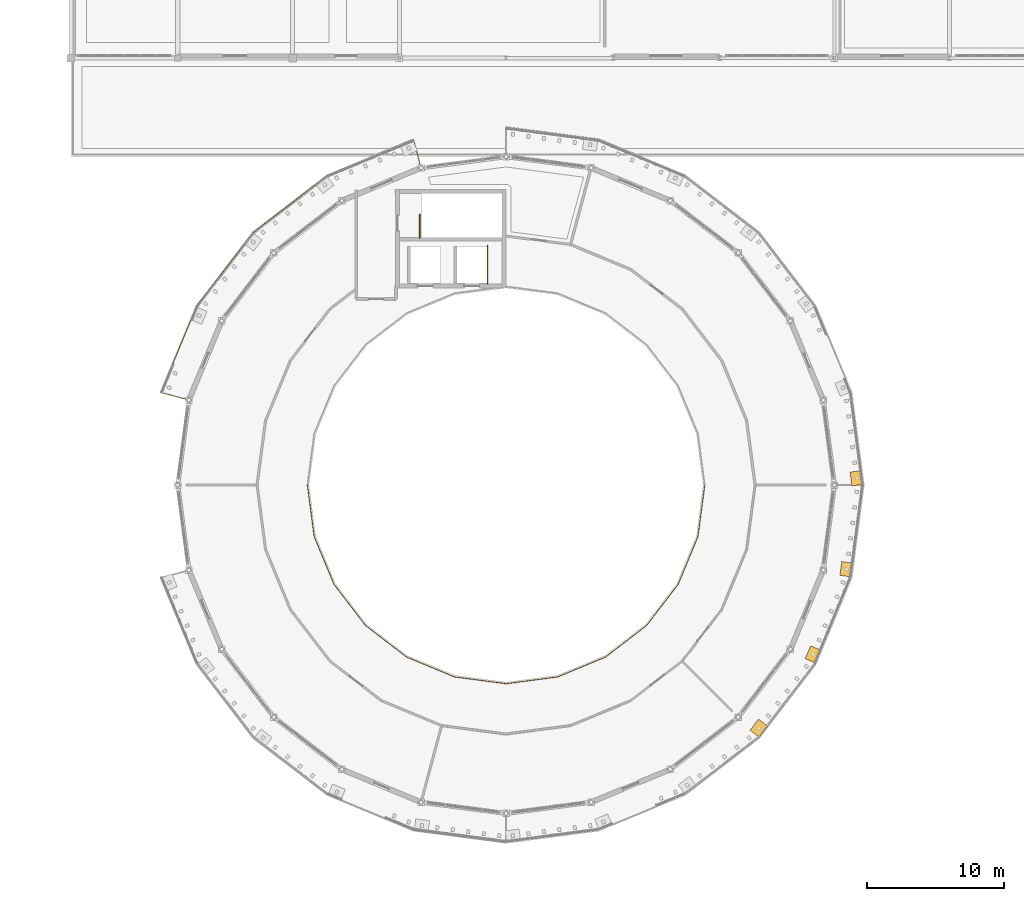
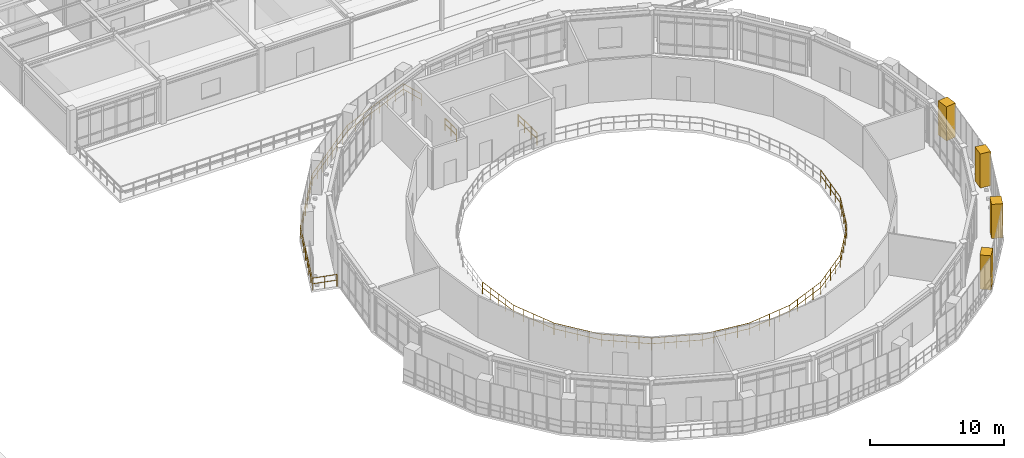
# One storey, part 53 of 58: 4 railings, 4 shading devices.
"""IFC4 building model written with IfcOpenShell, lengths in metres."""

from ifc_helpers import new_model, si_unit, derived_unit, direction, frame, origin, origin_2d, place, context, subcontext, project, spatial, rectangle, circle, extrude, material, type_object, element, save


model = new_model("IFC4")

# Units and contexts
model_context = context("Model", 3, precision=1e-05, world=origin(), true_north=direction((0.0, 1.0)))
body_context = subcontext(model_context, "Body", "Model", "MODEL_VIEW")
ifc_project = project(units=[si_unit("LENGTHUNIT", "METRE"), si_unit("AREAUNIT", "SQUARE_METRE"), si_unit("VOLUMEUNIT", "CUBIC_METRE"), si_unit("PLANEANGLEUNIT", "RADIAN"), si_unit("MASSUNIT", "GRAM", prefix="KILO"), derived_unit("THERMALTRANSMITTANCEUNIT", [(si_unit("POWERUNIT", "WATT"), 1), (si_unit("AREAUNIT", "SQUARE_METRE"), -1), (si_unit("THERMODYNAMICTEMPERATUREUNIT", "KELVIN"), -1)])], contexts=[model_context])

# Site, building, storey
site_placement = place(None, origin())
site = spatial("IfcSite", under=ifc_project, at=site_placement, CompositionType="ELEMENT")
building_placement = place(site_placement, origin())
building = spatial("IfcBuilding", under=site, at=building_placement, Name="Yasenodar Specialist Clinic", CompositionType="ELEMENT")
storey_placement = place(building_placement, frame((0.0, 0.0, 17.25)))
storey = spatial("IfcBuildingStorey", under=building, at=storey_placement, Name="L04", CompositionType="ELEMENT", Elevation=17.25)

# Railings
ifc_material_1 = material(Name="Bronze Anodized Aluminium and Larch Balustrade", Category="aluminium")
railing_type_1 = type_object("IfcRailingType", Name="RL-BAL-1120", PredefinedType="BALUSTRADE", material=ifc_material_1)
railing_1_placement = place(storey_placement, frame((74.7314453125, 82.194580078125, 0.0)))
element("IfcRailing", 1, at=railing_1_placement, inside=storey, type_object=railing_type_1, Name="L04 Drum V1 Balcony Balustrade 2", PredefinedType="BALUSTRADE", context=body_context, shape_type="SweptSolid", body=[
    extrude(circle(Radius=0.02392578125, at=origin_2d()), frame((0.0, 0.0, 1.09619140625), z_axis=(-0.258885930111, 0.965907902023, 0.0), x_axis=(-0.965907902023, -0.258885930111, 0.0)), (0.0, 0.0, 1.0), 1.900146484375),
    extrude(circle(Radius=0.02392578125, at=origin_2d()), frame((0.0, 0.0, 0.58251953125), z_axis=(-0.258885930111, 0.965907902023, 0.0), x_axis=(-0.965907902023, -0.258885930111, 0.0)), (0.0, 0.0, 1.0), 1.900146484375),
    extrude(circle(Radius=0.02392578125, at=origin_2d()), frame((-0.491943359375, 1.83544921875, 1.09619140625), z_axis=(-0.923878931839, -0.382684882513, 0.0), x_axis=(0.382684882513, -0.923878931839, 0.0)), (0.0, 0.0, 1.0), 6.818603515625),
    extrude(circle(Radius=0.02392578125, at=origin_2d()), frame((-0.491943359375, 1.83544921875, 0.58251953125), z_axis=(-0.923878931839, -0.382684882513, 0.0), x_axis=(0.382684882513, -0.923878931839, 0.0)), (0.0, 0.0, 1.0), 6.818603515625),
    extrude(circle(Radius=0.02392578125, at=origin_2d()), frame((-6.79150390625, -0.77392578125, 1.09619140625), z_axis=(-0.793330238247, -0.608791534996, 0.0), x_axis=(0.608791534996, -0.793330238247, 0.0)), (0.0, 0.0, 1.0), 6.818603515625),
    extrude(circle(Radius=0.02392578125, at=origin_2d()), frame((-6.79150390625, -0.77392578125, 0.58251953125), z_axis=(-0.793330238247, -0.608791534996, 0.0), x_axis=(0.608791534996, -0.793330238247, 0.0)), (0.0, 0.0, 1.0), 6.818603515625),
    extrude(circle(Radius=0.02392578125, at=origin_2d()), frame((-12.200927734375, -4.925048828125, 1.09619140625), z_axis=(-0.608791534996, -0.793330238247, 0.0), x_axis=(0.793330238247, -0.608791534996, 0.0)), (0.0, 0.0, 1.0), 6.818603515625),
    extrude(circle(Radius=0.02392578125, at=origin_2d()), frame((-12.200927734375, -4.925048828125, 0.58251953125), z_axis=(-0.608791534996, -0.793330238247, 0.0), x_axis=(0.793330238247, -0.608791534996, 0.0)), (0.0, 0.0, 1.0), 6.818603515625),
    extrude(circle(Radius=0.02392578125, at=origin_2d()), frame((-16.35205078125, -10.33447265625, 1.09619140625), z_axis=(-0.382672223843, -0.923884175154, 0.0), x_axis=(0.923884175154, -0.382672223843, 0.0)), (0.0, 0.0, 1.0), 6.81884765625),
    extrude(circle(Radius=0.02392578125, at=origin_2d()), frame((-16.35205078125, -10.33447265625, 0.58251953125), z_axis=(-0.382672223843, -0.923884175154, 0.0), x_axis=(0.923884175154, -0.382672223843, 0.0)), (0.0, 0.0, 1.0), 6.81884765625),
    extrude(circle(Radius=0.02392578125, at=origin_2d()), frame((-18.96142578125, -16.63427734375, 1.09619140625), z_axis=(0.96593141835, -0.258798174346, 0.0), x_axis=(0.258798174346, 0.96593141835, 0.0)), (0.0, 0.0, 1.0), 1.89990234375),
    extrude(circle(Radius=0.02392578125, at=origin_2d()), frame((-18.96142578125, -16.63427734375, 0.58251953125), z_axis=(0.96593141835, -0.258798174346, 0.0), x_axis=(0.258798174346, 0.96593141835, 0.0)), (0.0, 0.0, 1.0), 1.89990234375),
    extrude(circle(Radius=0.02099609375, at=origin_2d()), origin(), (0.0, 0.0, 1.0), 1.072021484375),
    extrude(circle(Radius=0.02099609375, at=origin_2d()), frame((-0.24609375, 0.917724609375, 0.0)), (0.0, 0.0, 1.0), 1.072021484375),
    extrude(circle(Radius=0.02099609375, at=origin_2d()), frame((-0.491943359375, 1.83544921875, 0.0)), (0.0, 0.0, 1.0), 1.072021484375),
    extrude(circle(Radius=0.02099609375, at=origin_2d()), frame((-1.391845703125, 1.462646484375, 0.0)), (0.0, 0.0, 1.0), 1.072021484375),
    extrude(circle(Radius=0.02099609375, at=origin_2d()), frame((-2.291748046875, 1.08984375, 0.0)), (0.0, 0.0, 1.0), 1.072021484375),
    extrude(circle(Radius=0.02099609375, at=origin_2d()), frame((-3.191650390625, 0.717041015625, 0.0)), (0.0, 0.0, 1.0), 1.072021484375),
    extrude(circle(Radius=0.02099609375, at=origin_2d()), frame((-4.091796875, 0.344482421875, 0.0)), (0.0, 0.0, 1.0), 1.072021484375),
    extrude(circle(Radius=0.02099609375, at=origin_2d()), frame((-4.99169921875, -0.0283203125, 0.0)), (0.0, 0.0, 1.0), 1.072021484375),
    extrude(circle(Radius=0.02099609375, at=origin_2d()), frame((-5.8916015625, -0.401123046875, 0.0)), (0.0, 0.0, 1.0), 1.072021484375),
    extrude(circle(Radius=0.02099609375, at=origin_2d()), frame((-6.79150390625, -0.77392578125, 0.0)), (0.0, 0.0, 1.0), 1.072021484375),
    extrude(circle(Radius=0.02099609375, at=origin_2d()), frame((-7.564208984375, -1.366943359375, 0.0)), (0.0, 0.0, 1.0), 1.072021484375),
    extrude(circle(Radius=0.02099609375, at=origin_2d()), frame((-8.337158203125, -1.9599609375, 0.0)), (0.0, 0.0, 1.0), 1.072021484375),
    extrude(circle(Radius=0.02099609375, at=origin_2d()), frame((-9.10986328125, -2.552978515625, 0.0)), (0.0, 0.0, 1.0), 1.072021484375),
    extrude(circle(Radius=0.02099609375, at=origin_2d()), frame((-9.882568359375, -3.14599609375, 0.0)), (0.0, 0.0, 1.0), 1.072021484375),
    extrude(circle(Radius=0.02099609375, at=origin_2d()), frame((-10.6552734375, -3.739013671875, 0.0)), (0.0, 0.0, 1.0), 1.072021484375),
    extrude(circle(Radius=0.02099609375, at=origin_2d()), frame((-11.42822265625, -4.33203125, 0.0)), (0.0, 0.0, 1.0), 1.072021484375),
    extrude(circle(Radius=0.02099609375, at=origin_2d()), frame((-12.200927734375, -4.925048828125, 0.0)), (0.0, 0.0, 1.0), 1.072021484375),
    extrude(circle(Radius=0.02099609375, at=origin_2d()), frame((-12.7939453125, -5.69775390625, 0.0)), (0.0, 0.0, 1.0), 1.072021484375),
    extrude(circle(Radius=0.02099609375, at=origin_2d()), frame((-13.386962890625, -6.470703125, 0.0)), (0.0, 0.0, 1.0), 1.072021484375),
    extrude(circle(Radius=0.02099609375, at=origin_2d()), frame((-13.97998046875, -7.243408203125, 0.0)), (0.0, 0.0, 1.0), 1.072021484375),
    extrude(circle(Radius=0.02099609375, at=origin_2d()), frame((-14.572998046875, -8.01611328125, 0.0)), (0.0, 0.0, 1.0), 1.072021484375),
    extrude(circle(Radius=0.02099609375, at=origin_2d()), frame((-15.166015625, -8.788818359375, 0.0)), (0.0, 0.0, 1.0), 1.072021484375),
    extrude(circle(Radius=0.02099609375, at=origin_2d()), frame((-15.759033203125, -9.561767578125, 0.0)), (0.0, 0.0, 1.0), 1.072021484375),
    extrude(circle(Radius=0.02099609375, at=origin_2d()), frame((-16.35205078125, -10.33447265625, 0.0)), (0.0, 0.0, 1.0), 1.072021484375),
    extrude(circle(Radius=0.02099609375, at=origin_2d()), frame((-16.724853515625, -11.234375, 0.0)), (0.0, 0.0, 1.0), 1.072021484375),
    extrude(circle(Radius=0.02099609375, at=origin_2d()), frame((-17.09765625, -12.134521484375, 0.0)), (0.0, 0.0, 1.0), 1.072021484375),
    extrude(circle(Radius=0.02099609375, at=origin_2d()), frame((-17.470458984375, -13.034423828125, 0.0)), (0.0, 0.0, 1.0), 1.072021484375),
    extrude(circle(Radius=0.02099609375, at=origin_2d()), frame((-17.843017578125, -13.934326171875, 0.0)), (0.0, 0.0, 1.0), 1.072021484375),
    extrude(circle(Radius=0.02099609375, at=origin_2d()), frame((-18.2158203125, -14.834228515625, 0.0)), (0.0, 0.0, 1.0), 1.072021484375),
    extrude(circle(Radius=0.02099609375, at=origin_2d()), frame((-18.588623046875, -15.734375, 0.0)), (0.0, 0.0, 1.0), 1.072021484375),
    extrude(circle(Radius=0.02099609375, at=origin_2d()), frame((-18.96142578125, -16.63427734375, 0.0)), (0.0, 0.0, 1.0), 1.072021484375),
    extrude(circle(Radius=0.02099609375, at=origin_2d()), frame((-18.0439453125, -16.880126953125, 0.0)), (0.0, 0.0, 1.0), 1.072021484375),
    extrude(circle(Radius=0.02099609375, at=origin_2d()), frame((-17.126220703125, -17.1259765625, 0.0)), (0.0, 0.0, 1.0), 1.072021484375),
])
ifc_material_2 = material(Name="Steel S355 Painted Guardrail", Category="steel")
railing_type_2 = type_object("IfcRailingType", Name="RL-GRD-1120", PredefinedType="GUARDRAIL", material=ifc_material_2)
railing_2_placement = place(storey_placement, frame((79.64990234375, 73.5, 0.0)))
element("IfcRailing", 2, at=railing_2_placement, inside=storey, type_object=railing_type_2, Name="L04 Core C3 Lift LF-07 Shaft Guardrail", PredefinedType="GUARDRAIL", context=body_context, shape_type="SweptSolid", body=[
    extrude(circle(Radius=0.02392578125, at=origin_2d()), frame((0.0, 0.0, 1.09619140625), z_axis=(0.0, 1.0, 0.0), x_axis=(-1.0, 0.0, 0.0)), (0.0, 0.0, 1.0), 2.800048828125),
    extrude(circle(Radius=0.02392578125, at=origin_2d()), frame((0.0, 0.0, 0.58251953125), z_axis=(0.0, 1.0, 0.0), x_axis=(-1.0, 0.0, 0.0)), (0.0, 0.0, 1.0), 2.800048828125),
    extrude(circle(Radius=0.02099609375, at=origin_2d()), origin(), (0.0, 0.0, 1.0), 1.072021484375),
    extrude(circle(Radius=0.02099609375, at=origin_2d()), frame((0.0, 0.933349609375, 0.0)), (0.0, 0.0, 1.0), 1.072021484375),
    extrude(circle(Radius=0.02099609375, at=origin_2d()), frame((0.0, 1.86669921875, 0.0)), (0.0, 0.0, 1.0), 1.072021484375),
    extrude(circle(Radius=0.02099609375, at=origin_2d()), frame((0.0, 2.800048828125, 0.0)), (0.0, 0.0, 1.0), 1.072021484375),
])
ifc_material_3 = material(Name="Steel S355 Painted Stair Guardrail", Category="steel")
railing_type_3 = type_object("IfcRailingType", Name="RL-ST-GRD", PredefinedType="GUARDRAIL", material=ifc_material_3)
railing_3_placement = place(storey_placement, frame((74.68994140625, 76.860107421875, 0.0)))
element("IfcRailing", 3, at=railing_3_placement, inside=storey, type_object=railing_type_3, Name="L04 ST-03 top well guard 1", PredefinedType="GUARDRAIL", context=body_context, shape_type="SweptSolid", body=[
    extrude(circle(Radius=0.02392578125, at=origin_2d()), frame((0.0, 0.0, 1.09619140625), z_axis=(0.0, 1.0, 0.0), x_axis=(-1.0, 0.0, 0.0)), (0.0, 0.0, 1.0), 1.7099609375),
    extrude(circle(Radius=0.02392578125, at=origin_2d()), frame((0.0, 0.0, 0.58251953125), z_axis=(0.0, 1.0, 0.0), x_axis=(-1.0, 0.0, 0.0)), (0.0, 0.0, 1.0), 1.7099609375),
    extrude(circle(Radius=0.02099609375, at=origin_2d()), origin(), (0.0, 0.0, 1.0), 1.072021484375),
    extrude(circle(Radius=0.02099609375, at=origin_2d()), frame((0.0, 0.85498046875, 0.0)), (0.0, 0.0, 1.0), 1.072021484375),
    extrude(circle(Radius=0.02099609375, at=origin_2d()), frame((0.0, 1.7099609375, 0.0)), (0.0, 0.0, 1.0), 1.072021484375),
])
railing_4_placement = place(storey_placement, frame((66.47998046875, 58.800048828125, 0.0)))
element("IfcRailing", 4, at=railing_4_placement, inside=storey, type_object=railing_type_3, Name="L04 Drum V1 Central Atrium South Guardrail", PredefinedType="GUARDRAIL", context=body_context, shape_type="SweptSolid", body=[
    extrude(circle(Radius=0.02392578125, at=origin_2d()), frame((0.0, 0.0, 1.09619140625), z_axis=(0.130556144994, -0.991440917556, 0.0), x_axis=(0.991440917556, 0.130556144994, 0.0)), (0.0, 0.0, 1.0), 3.79052734375),
    extrude(circle(Radius=0.02392578125, at=origin_2d()), frame((0.0, 0.0, 0.58251953125), z_axis=(0.130556144994, -0.991440917556, 0.0), x_axis=(0.991440917556, 0.130556144994, 0.0)), (0.0, 0.0, 1.0), 3.79052734375),
    extrude(circle(Radius=0.02392578125, at=origin_2d()), frame((0.494873046875, -3.758056640625, 1.09619140625), z_axis=(0.382657079616, -0.923890447737, 0.0), x_axis=(0.923890447737, 0.382657079616, 0.0)), (0.0, 0.0, 1.0), 3.79052734375),
    extrude(circle(Radius=0.02392578125, at=origin_2d()), frame((0.494873046875, -3.758056640625, 0.58251953125), z_axis=(0.382657079616, -0.923890447737, 0.0), x_axis=(0.923890447737, 0.382657079616, 0.0)), (0.0, 0.0, 1.0), 3.79052734375),
    extrude(circle(Radius=0.02392578125, at=origin_2d()), frame((1.9453125, -7.260009765625, 1.09619140625), z_axis=(0.608764111061, -0.793351282273, 0.0), x_axis=(0.793351282273, 0.608764111061, 0.0)), (0.0, 0.0, 1.0), 3.790771484375),
    extrude(circle(Radius=0.02392578125, at=origin_2d()), frame((1.9453125, -7.260009765625, 0.58251953125), z_axis=(0.608764111061, -0.793351282273, 0.0), x_axis=(0.793351282273, 0.608764111061, 0.0)), (0.0, 0.0, 1.0), 3.790771484375),
    extrude(circle(Radius=0.02392578125, at=origin_2d()), frame((4.2529296875, -10.267333984375, 1.09619140625), z_axis=(0.793358520159, -0.608754678414, 0.0), x_axis=(0.608754678414, 0.793358520159, 0.0)), (0.0, 0.0, 1.0), 3.790283203125),
    extrude(circle(Radius=0.02392578125, at=origin_2d()), frame((4.2529296875, -10.267333984375, 0.58251953125), z_axis=(0.793358520159, -0.608754678414, 0.0), x_axis=(0.608754678414, 0.793358520159, 0.0)), (0.0, 0.0, 1.0), 3.790283203125),
    extrude(circle(Radius=0.02392578125, at=origin_2d()), frame((7.260009765625, -12.57470703125, 1.09619140625), z_axis=(0.923890447737, -0.382657079616, 0.0), x_axis=(0.382657079616, 0.923890447737, 0.0)), (0.0, 0.0, 1.0), 3.79052734375),
    extrude(circle(Radius=0.02392578125, at=origin_2d()), frame((7.260009765625, -12.57470703125, 0.58251953125), z_axis=(0.923890447737, -0.382657079616, 0.0), x_axis=(0.382657079616, 0.923890447737, 0.0)), (0.0, 0.0, 1.0), 3.79052734375),
    extrude(circle(Radius=0.02392578125, at=origin_2d()), frame((10.761962890625, -14.025146484375, 1.09619140625), z_axis=(0.991440917556, -0.130556144994, 0.0), x_axis=(0.130556144994, 0.991440917556, 0.0)), (0.0, 0.0, 1.0), 3.79052734375),
    extrude(circle(Radius=0.02392578125, at=origin_2d()), frame((10.761962890625, -14.025146484375, 0.58251953125), z_axis=(0.991440917556, -0.130556144994, 0.0), x_axis=(0.130556144994, 0.991440917556, 0.0)), (0.0, 0.0, 1.0), 3.79052734375),
    extrude(circle(Radius=0.02392578125, at=origin_2d()), frame((14.52001953125, -14.52001953125, 1.09619140625), z_axis=(0.991440917556, 0.130556144994, 0.0), x_axis=(-0.130556144994, 0.991440917556, 0.0)), (0.0, 0.0, 1.0), 3.79052734375),
    extrude(circle(Radius=0.02392578125, at=origin_2d()), frame((14.52001953125, -14.52001953125, 0.58251953125), z_axis=(0.991440917556, 0.130556144994, 0.0), x_axis=(-0.130556144994, 0.991440917556, 0.0)), (0.0, 0.0, 1.0), 3.79052734375),
    extrude(circle(Radius=0.02392578125, at=origin_2d()), frame((18.278076171875, -14.025146484375, 1.09619140625), z_axis=(0.923890447737, 0.382657079616, 0.0), x_axis=(-0.382657079616, 0.923890447737, 0.0)), (0.0, 0.0, 1.0), 3.79052734375),
    extrude(circle(Radius=0.02392578125, at=origin_2d()), frame((18.278076171875, -14.025146484375, 0.58251953125), z_axis=(0.923890447737, 0.382657079616, 0.0), x_axis=(-0.382657079616, 0.923890447737, 0.0)), (0.0, 0.0, 1.0), 3.79052734375),
    extrude(circle(Radius=0.02392578125, at=origin_2d()), frame((21.780029296875, -12.57470703125, 1.09619140625), z_axis=(0.793358520159, 0.608754678414, 0.0), x_axis=(-0.608754678414, 0.793358520159, 0.0)), (0.0, 0.0, 1.0), 3.790283203125),
    extrude(circle(Radius=0.02392578125, at=origin_2d()), frame((21.780029296875, -12.57470703125, 0.58251953125), z_axis=(0.793358520159, 0.608754678414, 0.0), x_axis=(-0.608754678414, 0.793358520159, 0.0)), (0.0, 0.0, 1.0), 3.790283203125),
    extrude(circle(Radius=0.02392578125, at=origin_2d()), frame((24.787109375, -10.267333984375, 1.09619140625), z_axis=(0.608764111061, 0.793351282273, 0.0), x_axis=(-0.793351282273, 0.608764111061, 0.0)), (0.0, 0.0, 1.0), 3.790771484375),
    extrude(circle(Radius=0.02392578125, at=origin_2d()), frame((24.787109375, -10.267333984375, 0.58251953125), z_axis=(0.608764111061, 0.793351282273, 0.0), x_axis=(-0.793351282273, 0.608764111061, 0.0)), (0.0, 0.0, 1.0), 3.790771484375),
    extrude(circle(Radius=0.02392578125, at=origin_2d()), frame((27.0947265625, -7.260009765625, 1.09619140625), z_axis=(0.382657079616, 0.923890447737, 0.0), x_axis=(-0.923890447737, 0.382657079616, 0.0)), (0.0, 0.0, 1.0), 3.79052734375),
    extrude(circle(Radius=0.02392578125, at=origin_2d()), frame((27.0947265625, -7.260009765625, 0.58251953125), z_axis=(0.382657079616, 0.923890447737, 0.0), x_axis=(-0.923890447737, 0.382657079616, 0.0)), (0.0, 0.0, 1.0), 3.79052734375),
    extrude(circle(Radius=0.02392578125, at=origin_2d()), frame((28.545166015625, -3.758056640625, 1.09619140625), z_axis=(0.130556144994, 0.991440917556, 0.0), x_axis=(-0.991440917556, 0.130556144994, 0.0)), (0.0, 0.0, 1.0), 3.79052734375),
    extrude(circle(Radius=0.02392578125, at=origin_2d()), frame((28.545166015625, -3.758056640625, 0.58251953125), z_axis=(0.130556144994, 0.991440917556, 0.0), x_axis=(-0.991440917556, 0.130556144994, 0.0)), (0.0, 0.0, 1.0), 3.79052734375),
    extrude(circle(Radius=0.02099609375, at=origin_2d()), origin(), (0.0, 0.0, 1.0), 1.072021484375),
    extrude(circle(Radius=0.02099609375, at=origin_2d()), frame((0.123779296875, -0.939453125, 0.0)), (0.0, 0.0, 1.0), 1.072021484375),
    extrude(circle(Radius=0.02099609375, at=origin_2d()), frame((0.24755859375, -1.87890625, 0.0)), (0.0, 0.0, 1.0), 1.072021484375),
    extrude(circle(Radius=0.02099609375, at=origin_2d()), frame((0.37109375, -2.818603515625, 0.0)), (0.0, 0.0, 1.0), 1.072021484375),
    extrude(circle(Radius=0.02099609375, at=origin_2d()), frame((0.494873046875, -3.758056640625, 0.0)), (0.0, 0.0, 1.0), 1.072021484375),
    extrude(circle(Radius=0.02099609375, at=origin_2d()), frame((0.857421875, -4.633544921875, 0.0)), (0.0, 0.0, 1.0), 1.072021484375),
    extrude(circle(Radius=0.02099609375, at=origin_2d()), frame((1.22021484375, -5.509033203125, 0.0)), (0.0, 0.0, 1.0), 1.072021484375),
    extrude(circle(Radius=0.02099609375, at=origin_2d()), frame((1.582763671875, -6.384521484375, 0.0)), (0.0, 0.0, 1.0), 1.072021484375),
    extrude(circle(Radius=0.02099609375, at=origin_2d()), frame((1.9453125, -7.260009765625, 0.0)), (0.0, 0.0, 1.0), 1.072021484375),
    extrude(circle(Radius=0.02099609375, at=origin_2d()), frame((2.522216796875, -8.01171875, 0.0)), (0.0, 0.0, 1.0), 1.072021484375),
    extrude(circle(Radius=0.02099609375, at=origin_2d()), frame((3.09912109375, -8.763671875, 0.0)), (0.0, 0.0, 1.0), 1.072021484375),
    extrude(circle(Radius=0.02099609375, at=origin_2d()), frame((3.676025390625, -9.515625, 0.0)), (0.0, 0.0, 1.0), 1.072021484375),
    extrude(circle(Radius=0.02099609375, at=origin_2d()), frame((4.2529296875, -10.267333984375, 0.0)), (0.0, 0.0, 1.0), 1.072021484375),
    extrude(circle(Radius=0.02099609375, at=origin_2d()), frame((5.004638671875, -10.84423828125, 0.0)), (0.0, 0.0, 1.0), 1.072021484375),
    extrude(circle(Radius=0.02099609375, at=origin_2d()), frame((5.75634765625, -11.4208984375, 0.0)), (0.0, 0.0, 1.0), 1.072021484375),
    extrude(circle(Radius=0.02099609375, at=origin_2d()), frame((6.50830078125, -11.997802734375, 0.0)), (0.0, 0.0, 1.0), 1.072021484375),
    extrude(circle(Radius=0.02099609375, at=origin_2d()), frame((7.260009765625, -12.57470703125, 0.0)), (0.0, 0.0, 1.0), 1.072021484375),
    extrude(circle(Radius=0.02099609375, at=origin_2d()), frame((8.135498046875, -12.937255859375, 0.0)), (0.0, 0.0, 1.0), 1.072021484375),
    extrude(circle(Radius=0.02099609375, at=origin_2d()), frame((9.010986328125, -13.2998046875, 0.0)), (0.0, 0.0, 1.0), 1.072021484375),
    extrude(circle(Radius=0.02099609375, at=origin_2d()), frame((9.886474609375, -13.66259765625, 0.0)), (0.0, 0.0, 1.0), 1.072021484375),
    extrude(circle(Radius=0.02099609375, at=origin_2d()), frame((10.761962890625, -14.025146484375, 0.0)), (0.0, 0.0, 1.0), 1.072021484375),
    extrude(circle(Radius=0.02099609375, at=origin_2d()), frame((11.701416015625, -14.14892578125, 0.0)), (0.0, 0.0, 1.0), 1.072021484375),
    extrude(circle(Radius=0.02099609375, at=origin_2d()), frame((12.64111328125, -14.2724609375, 0.0)), (0.0, 0.0, 1.0), 1.072021484375),
    extrude(circle(Radius=0.02099609375, at=origin_2d()), frame((13.58056640625, -14.396240234375, 0.0)), (0.0, 0.0, 1.0), 1.072021484375),
    extrude(circle(Radius=0.02099609375, at=origin_2d()), frame((14.52001953125, -14.52001953125, 0.0)), (0.0, 0.0, 1.0), 1.072021484375),
    extrude(circle(Radius=0.02099609375, at=origin_2d()), frame((15.45947265625, -14.396240234375, 0.0)), (0.0, 0.0, 1.0), 1.072021484375),
    extrude(circle(Radius=0.02099609375, at=origin_2d()), frame((16.39892578125, -14.2724609375, 0.0)), (0.0, 0.0, 1.0), 1.072021484375),
    extrude(circle(Radius=0.02099609375, at=origin_2d()), frame((17.338623046875, -14.14892578125, 0.0)), (0.0, 0.0, 1.0), 1.072021484375),
    extrude(circle(Radius=0.02099609375, at=origin_2d()), frame((18.278076171875, -14.025146484375, 0.0)), (0.0, 0.0, 1.0), 1.072021484375),
    extrude(circle(Radius=0.02099609375, at=origin_2d()), frame((19.153564453125, -13.66259765625, 0.0)), (0.0, 0.0, 1.0), 1.072021484375),
    extrude(circle(Radius=0.02099609375, at=origin_2d()), frame((20.029052734375, -13.2998046875, 0.0)), (0.0, 0.0, 1.0), 1.072021484375),
    extrude(circle(Radius=0.02099609375, at=origin_2d()), frame((20.904541015625, -12.937255859375, 0.0)), (0.0, 0.0, 1.0), 1.072021484375),
    extrude(circle(Radius=0.02099609375, at=origin_2d()), frame((21.780029296875, -12.57470703125, 0.0)), (0.0, 0.0, 1.0), 1.072021484375),
    extrude(circle(Radius=0.02099609375, at=origin_2d()), frame((22.53173828125, -11.997802734375, 0.0)), (0.0, 0.0, 1.0), 1.072021484375),
    extrude(circle(Radius=0.02099609375, at=origin_2d()), frame((23.28369140625, -11.4208984375, 0.0)), (0.0, 0.0, 1.0), 1.072021484375),
    extrude(circle(Radius=0.02099609375, at=origin_2d()), frame((24.035400390625, -10.84423828125, 0.0)), (0.0, 0.0, 1.0), 1.072021484375),
    extrude(circle(Radius=0.02099609375, at=origin_2d()), frame((24.787109375, -10.267333984375, 0.0)), (0.0, 0.0, 1.0), 1.072021484375),
    extrude(circle(Radius=0.02099609375, at=origin_2d()), frame((25.364013671875, -9.515625, 0.0)), (0.0, 0.0, 1.0), 1.072021484375),
    extrude(circle(Radius=0.02099609375, at=origin_2d()), frame((25.94091796875, -8.763671875, 0.0)), (0.0, 0.0, 1.0), 1.072021484375),
    extrude(circle(Radius=0.02099609375, at=origin_2d()), frame((26.517822265625, -8.01171875, 0.0)), (0.0, 0.0, 1.0), 1.072021484375),
    extrude(circle(Radius=0.02099609375, at=origin_2d()), frame((27.0947265625, -7.260009765625, 0.0)), (0.0, 0.0, 1.0), 1.072021484375),
    extrude(circle(Radius=0.02099609375, at=origin_2d()), frame((27.457275390625, -6.384521484375, 0.0)), (0.0, 0.0, 1.0), 1.072021484375),
    extrude(circle(Radius=0.02099609375, at=origin_2d()), frame((27.81982421875, -5.509033203125, 0.0)), (0.0, 0.0, 1.0), 1.072021484375),
    extrude(circle(Radius=0.02099609375, at=origin_2d()), frame((28.1826171875, -4.633544921875, 0.0)), (0.0, 0.0, 1.0), 1.072021484375),
    extrude(circle(Radius=0.02099609375, at=origin_2d()), frame((28.545166015625, -3.758056640625, 0.0)), (0.0, 0.0, 1.0), 1.072021484375),
    extrude(circle(Radius=0.02099609375, at=origin_2d()), frame((28.6689453125, -2.818603515625, 0.0)), (0.0, 0.0, 1.0), 1.072021484375),
    extrude(circle(Radius=0.02099609375, at=origin_2d()), frame((28.79248046875, -1.87890625, 0.0)), (0.0, 0.0, 1.0), 1.072021484375),
    extrude(circle(Radius=0.02099609375, at=origin_2d()), frame((28.916259765625, -0.939453125, 0.0)), (0.0, 0.0, 1.0), 1.072021484375),
    extrude(circle(Radius=0.02099609375, at=origin_2d()), frame((29.0400390625, 0.0, 0.0)), (0.0, 0.0, 1.0), 1.072021484375),
])

# Shading devices
ifc_material_4 = material(Name="Thermally Modified Larch and Bronze Girih Jali Shutter")
shading_device_type = type_object("IfcShadingDeviceType", Name="SHD-JALI-850", PredefinedType="SHUTTER", material=ifc_material_4)
for number, where, z_axis, x_axis, name in (
    (5, (106.6298828125, 59.2998046875, -0.005126953125), (0.0, 0.0, 1.0), (-0.130519185854, 0.991445783754, 0.0), "L04 Mughal Girih Jali Sliding Shutter Frame 0331"),
    (6, (99.4765625, 41.030517578125, -0.005126953125), (0.0, 0.0, 1.0), (0.608764217148, 0.793351200869, 0.0), "L04 Mughal Girih Jali Sliding Shutter Frame 0427"),
    (7, (103.446044921875, 46.41796875, -0.005126953125), (0.0, 0.0, 1.0), (0.382686667195, 0.923878192594, 0.0), "L04 Mughal Girih Jali Sliding Shutter Frame 0433"),
    (8, (105.885986328125, 52.6494140625, -0.005126953125), (0.0, 0.0, 1.0), (0.130519185854, 0.991445783754, 0.0), "L04 Mughal Girih Jali Sliding Shutter Frame 0439"),
):
    element("IfcShadingDevice", number, at=place(storey_placement, frame(where, z_axis=z_axis, x_axis=x_axis)), inside=storey, type_object=shading_device_type, Name=name, PredefinedType="SHUTTER", context=body_context, shape_type="SweptSolid", body=[
        extrude(rectangle(XDim=1.02001953125, YDim=0.85009765625, at=origin_2d()), origin(), (0.0, 0.0, 1.0), 3.10009765625),
    ])

save(model, "model.ifc")
